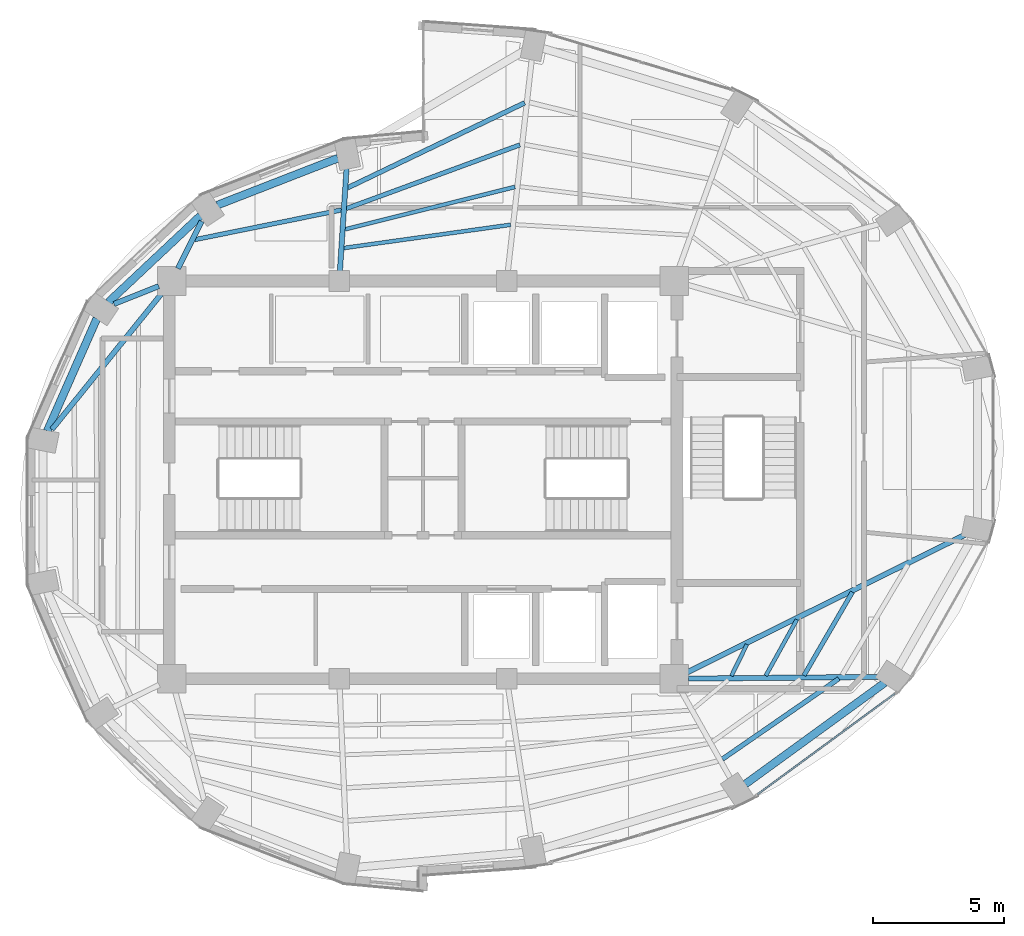
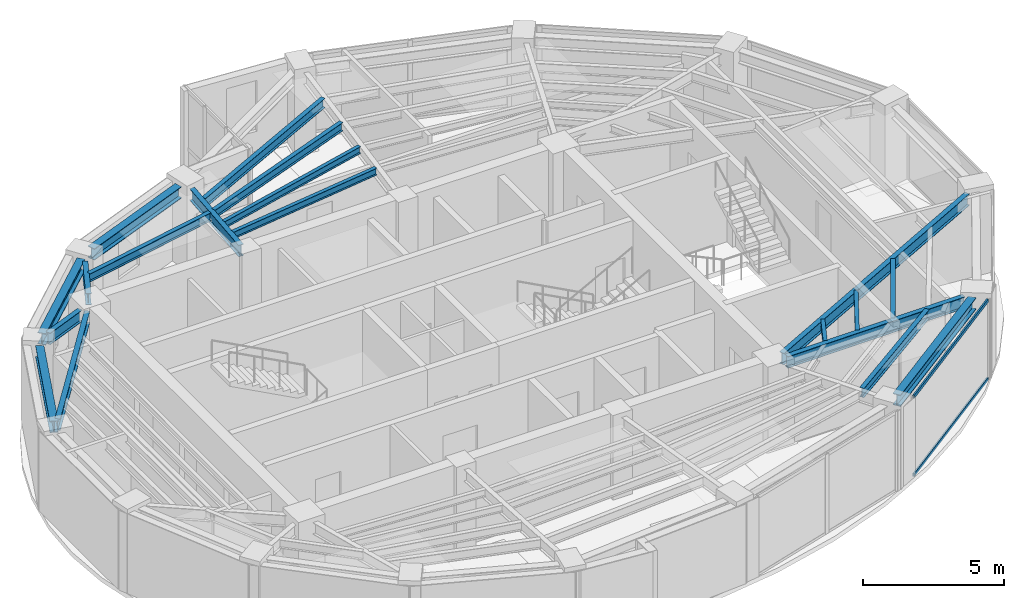
# One storey, part 3 of 15: 19 beams, 2 members, 1 element without a shape of its own.
"""IFC4 building model written with IfcOpenShell, lengths in metres."""

from ifc_helpers import new_model, si_unit, direction, frame, origin, origin_2d, place, context, subcontext, project, spatial, hollow_rectangle, i_section, extrude, material, layer, layer_set, material_profile, profile_set, type_object, element, aggregate, save


model = new_model("IFC4")

# Units and contexts
model_context = context("Model", 3, precision=1e-05, world=origin(), true_north=direction((0.0, 1.0)))
body_context = subcontext(model_context, "Body", "Model", "MODEL_VIEW")
ifc_project = project(units=[si_unit("LENGTHUNIT", "METRE"), si_unit("AREAUNIT", "SQUARE_METRE"), si_unit("VOLUMEUNIT", "CUBIC_METRE"), si_unit("PLANEANGLEUNIT", "RADIAN"), si_unit("MASSUNIT", "GRAM", prefix="KILO")], contexts=[model_context])

# Site, building, storey
site_placement = place(None, origin())
site = spatial("IfcSite", under=ifc_project, at=site_placement, CompositionType="ELEMENT")
building_placement = place(site_placement, origin())
building = spatial("IfcBuilding", under=site, at=building_placement, Name="Lazwardi Medical Tower", CompositionType="ELEMENT")
storey_placement = place(building_placement, frame((0.0, 0.0, 284.2080078125)))
storey = spatial("IfcBuildingStorey", under=building, at=storey_placement, Name="L74", CompositionType="ELEMENT", Elevation=284.2080078125)

# Beams
ifc_material_1 = material(Name="Steel S355", Category="steel")
ifc_material_profile_1 = material_profile(ifc_material_1, i_section(OverallWidth=0.300048828125, OverallDepth=0.5, WebThickness=0.014404296875, FlangeThickness=0.028076171875, at=origin_2d()), Name="HEB 500")
ifc_profile_set_1 = profile_set([ifc_material_profile_1], Name="Steel S355")
beam_type_1 = type_object("IfcBeamType", Name="BM-RB-Z4", PredefinedType="BEAM", material=ifc_profile_set_1)
beam_1_placement = place(storey_placement, frame((48.31591796875, 16.375244140625, 3.197998046875), z_axis=(0.808889916254, 0.587960120571, 0.0), x_axis=(-0.587960120571, 0.808889916254, 0.0)))
element("IfcBeam", 1, at=beam_1_placement, inside=storey, type_object=beam_type_1, Name="Ring beam RB-05 B02 L74", PredefinedType="BEAM", context=body_context, shape_type="SweptSolid", body=[
    extrude(i_section(OverallWidth=0.300048828125, OverallDepth=0.5, WebThickness=0.014404296875, FlangeThickness=0.028076171875, at=origin_2d()), origin(), (0.0, 0.0, 1.0), 6.587158203125),
])
beam_2_placement = place(storey_placement, frame((32.749267578125, 40.29150390625, 3.197998046875), z_axis=(-0.931959260109, -0.362563011761, 0.0), x_axis=(0.362563011761, -0.931959260109, 0.0)))
element("IfcBeam", 2, at=beam_2_placement, inside=storey, type_object=beam_type_1, Name="Ring beam RB-05 B09 L74", PredefinedType="BEAM", context=body_context, shape_type="SweptSolid", body=[
    extrude(i_section(OverallWidth=0.300048828125, OverallDepth=0.5, WebThickness=0.014404296875, FlangeThickness=0.028076171875, at=origin_2d()), origin(), (0.0, 0.0, 1.0), 4.944580078125),
])
beam_3_placement = place(storey_placement, frame((27.493408203125, 38.09033203125, 3.197998046875), z_axis=(-0.728935349177, -0.684582541934, 0.0), x_axis=(0.684582541934, -0.728935349177, 0.0)))
element("IfcBeam", 3, at=beam_3_placement, inside=storey, type_object=beam_type_1, Name="Ring beam RB-05 B10 L74", PredefinedType="BEAM", context=body_context, shape_type="SweptSolid", body=[
    extrude(i_section(OverallWidth=0.300048828125, OverallDepth=0.5, WebThickness=0.014404296875, FlangeThickness=0.028076171875, at=origin_2d()), origin(), (0.0, 0.0, 1.0), 4.822021484375),
])
beam_4_placement = place(storey_placement, frame((23.536865234375, 34.16552734375, 3.197998046875), z_axis=(-0.403522451548, -0.914969743268, 0.0), x_axis=(0.914969743268, -0.403522451548, 0.0)))
element("IfcBeam", 4, at=beam_4_placement, inside=storey, type_object=beam_type_1, Name="Ring beam RB-05 B11 L74", PredefinedType="BEAM", context=body_context, shape_type="SweptSolid", body=[
    extrude(i_section(OverallWidth=0.300048828125, OverallDepth=0.5, WebThickness=0.014404296875, FlangeThickness=0.028076171875, at=origin_2d()), origin(), (0.0, 0.0, 1.0), 4.6962890625),
])
ifc_material_profile_2 = material_profile(ifc_material_1, i_section(OverallWidth=0.199951171875, OverallDepth=0.5, WebThickness=0.01025390625, FlangeThickness=0.01611328125, at=origin_2d()), Name="IPE 500")
ifc_profile_set_2 = profile_set([ifc_material_profile_2], Name="Steel S355")
beam_type_2 = type_object("IfcBeamType", Name="BM-RG-W3", PredefinedType="BEAM", material=ifc_profile_set_2)
beam_5_placement = place(storey_placement, frame((53.4248046875, 20.472412109375, 3.197998046875), z_axis=(-0.999957282107, -0.009243049327, 0.0), x_axis=(0.009243049327, -0.999957282107, 0.0)))
element("IfcBeam", 5, at=beam_5_placement, inside=storey, type_object=beam_type_2, Name="Radial girder RG-04 R03 L74", PredefinedType="BEAM", context=body_context, shape_type="SweptSolid", body=[
    extrude(i_section(OverallWidth=0.199951171875, OverallDepth=0.5, WebThickness=0.01025390625, FlangeThickness=0.01611328125, at=origin_2d()), origin(), (0.0, 0.0, 1.0), 7.2900390625),
])
beam_6_placement = place(storey_placement, frame((56.70556640625, 25.899658203125, 3.197998046875), z_axis=(-0.896137723356, -0.443776048, 0.0), x_axis=(0.443776048, -0.896137723356, 0.0)))
element("IfcBeam", 6, at=beam_6_placement, inside=storey, type_object=beam_type_2, Name="Radial girder RG-04 R04 L74", PredefinedType="BEAM", context=body_context, shape_type="SweptSolid", body=[
    extrude(i_section(OverallWidth=0.199951171875, OverallDepth=0.5, WebThickness=0.01025390625, FlangeThickness=0.01611328125, at=origin_2d()), origin(), (0.0, 0.0, 1.0), 11.85791015625),
])
beam_7_placement = place(storey_placement, frame((33.078125, 39.89892578125, 3.197998046875), z_axis=(-0.064536216654, -0.99791536552, 0.0), x_axis=(0.99791536552, -0.064536216654, 0.0)))
element("IfcBeam", 7, at=beam_7_placement, inside=storey, type_object=beam_type_2, Name="Radial girder RG-04 R09 L74", PredefinedType="BEAM", context=body_context, shape_type="SweptSolid", body=[
    extrude(i_section(OverallWidth=0.199951171875, OverallDepth=0.5, WebThickness=0.01025390625, FlangeThickness=0.01611328125, at=origin_2d()), origin(), (0.0, 0.0, 1.0), 3.9228515625),
])
beam_8_placement = place(storey_placement, frame((27.53857421875, 37.87890625, 3.197998046875), z_axis=(-0.446922417137, -0.894572720946, 0.0), x_axis=(0.894572720946, -0.446922417137, 0.0)))
element("IfcBeam", 8, at=beam_8_placement, inside=storey, type_object=beam_type_2, Name="Radial girder RG-04 R10 L74", PredefinedType="BEAM", context=body_context, shape_type="SweptSolid", body=[
    extrude(i_section(OverallWidth=0.199951171875, OverallDepth=0.5, WebThickness=0.01025390625, FlangeThickness=0.01611328125, at=origin_2d()), origin(), (0.0, 0.0, 1.0), 2.012451171875),
])
beam_9_placement = place(storey_placement, frame((24.191162109375, 34.72021484375, 3.197998046875), z_axis=(0.929014807026, 0.370042549347, 0.0), x_axis=(-0.370042549347, 0.929014807026, 0.0)))
element("IfcBeam", 9, at=beam_9_placement, inside=storey, type_object=beam_type_2, Name="Radial girder RG-04 R11 L74", PredefinedType="BEAM", context=body_context, shape_type="SweptSolid", body=[
    extrude(i_section(OverallWidth=0.199951171875, OverallDepth=0.5, WebThickness=0.01025390625, FlangeThickness=0.01611328125, at=origin_2d()), origin(), (0.0, 0.0, 1.0), 1.8427734375),
])
beam_10_placement = place(storey_placement, frame((21.820556640625, 29.927978515625, 3.197998046875), z_axis=(0.62820165026, 0.778050568158, 0.0), x_axis=(-0.778050568158, 0.62820165026, 0.0)))
element("IfcBeam", 10, at=beam_10_placement, inside=storey, type_object=beam_type_2, Name="Radial girder RG-04 R12 L74", PredefinedType="BEAM", context=body_context, shape_type="SweptSolid", body=[
    extrude(i_section(OverallWidth=0.199951171875, OverallDepth=0.5, WebThickness=0.01025390625, FlangeThickness=0.01611328125, at=origin_2d()), origin(), (0.0, 0.0, 1.0), 6.7548828125),
])
ifc_material_profile_3 = material_profile(ifc_material_1, i_section(OverallWidth=0.179931640625, OverallDepth=0.39990234375, WebThickness=0.008544921875, FlangeThickness=0.013427734375, at=origin_2d()), Name="IPE 400")
ifc_profile_set_3 = profile_set([ifc_material_profile_3], Name="Steel S355")
beam_type_3 = type_object("IfcBeamType", Name="BM-SJ-01", PredefinedType="JOIST", material=ifc_profile_set_3)
beam_11_placement = place(storey_placement, frame((47.440673828125, 17.330322265625, 3.248046875), z_axis=(0.822596712765, 0.568625226443, 0.0), x_axis=(-0.568625226443, 0.822596712765, 0.0)))
element("IfcBeam", 11, at=beam_11_placement, inside=storey, type_object=beam_type_3, Name="Secondary joist SJ-01 R1 B02 L74", PredefinedType="JOIST", context=body_context, shape_type="SweptSolid", body=[
    extrude(i_section(OverallWidth=0.179931640625, OverallDepth=0.39990234375, WebThickness=0.008544921875, FlangeThickness=0.013427734375, at=origin_2d()), origin(), (0.0, 0.0, 1.0), 5.4072265625),
])
beam_12_placement = place(storey_placement, frame((39.88623046875, 42.40869140625, 3.248046875), z_axis=(-0.901499730142, -0.432779662823, 0.0), x_axis=(0.432779662823, -0.901499730142, 0.0)))
element("IfcBeam", 12, at=beam_12_placement, inside=storey, type_object=beam_type_3, Name="Secondary joist SJ-01 R1 B08 L74", PredefinedType="JOIST", context=body_context, shape_type="SweptSolid", body=[
    extrude(i_section(OverallWidth=0.179931640625, OverallDepth=0.39990234375, WebThickness=0.008544921875, FlangeThickness=0.013427734375, at=origin_2d()), origin(), (0.0, 0.0, 1.0), 7.512939453125),
])
ifc_material_profile_4 = material_profile(ifc_material_1, i_section(OverallWidth=0.169921875, OverallDepth=0.360107421875, WebThickness=0.008056640625, FlangeThickness=0.0126953125, at=origin_2d()), Name="IPE 360")
ifc_profile_set_4 = profile_set([ifc_material_profile_4], Name="Steel S355")
beam_type_4 = type_object("IfcBeamType", Name="BM-SJ-02", PredefinedType="JOIST", material=ifc_profile_set_4)
beam_13_placement = place(storey_placement, frame((50.556640625, 20.527587890625, 3.26806640625), z_axis=(0.502428077017, 0.864619007092, 0.0), x_axis=(-0.864619007092, 0.502428077017, 0.0)))
element("IfcBeam", 13, at=beam_13_placement, inside=storey, type_object=beam_type_4, Name="Secondary joist SJ-02 R2 B03 L74", PredefinedType="JOIST", context=body_context, shape_type="SweptSolid", body=[
    extrude(i_section(OverallWidth=0.169921875, OverallDepth=0.360107421875, WebThickness=0.008056640625, FlangeThickness=0.0126953125, at=origin_2d()), origin(), (0.0, 0.0, 1.0), 3.683837890625),
])
beam_14_placement = place(storey_placement, frame((39.700439453125, 40.80029296875, 3.26806640625), z_axis=(-0.938784720842, -0.34450435108, 0.0), x_axis=(0.34450435108, -0.938784720842, 0.0)))
element("IfcBeam", 14, at=beam_14_placement, inside=storey, type_object=beam_type_4, Name="Secondary joist SJ-02 R2 B08 L74", PredefinedType="JOIST", context=body_context, shape_type="SweptSolid", body=[
    extrude(i_section(OverallWidth=0.169921875, OverallDepth=0.360107421875, WebThickness=0.008056640625, FlangeThickness=0.0126953125, at=origin_2d()), origin(), (0.0, 0.0, 1.0), 7.06689453125),
])
beam_15_placement = place(storey_placement, frame((32.8837890625, 38.314208984375, 3.26806640625), z_axis=(-0.980097246244, -0.198517978793, 0.0), x_axis=(0.198517978793, -0.980097246244, 0.0)))
element("IfcBeam", 15, at=beam_15_placement, inside=storey, type_object=beam_type_4, Name="Secondary joist SJ-02 R2 B09 L74", PredefinedType="JOIST", context=body_context, shape_type="SweptSolid", body=[
    extrude(i_section(OverallWidth=0.169921875, OverallDepth=0.360107421875, WebThickness=0.008056640625, FlangeThickness=0.0126953125, at=origin_2d()), origin(), (0.0, 0.0, 1.0), 5.72607421875),
])
ifc_material_profile_5 = material_profile(ifc_material_1, i_section(OverallWidth=0.14990234375, OverallDepth=0.300048828125, WebThickness=0.007080078125, FlangeThickness=0.0107421875, at=origin_2d()), Name="IPE 300")
ifc_profile_set_5 = profile_set([ifc_material_profile_5], Name="Steel S355")
beam_type_5 = type_object("IfcBeamType", Name="BM-SJ-03", PredefinedType="JOIST", material=ifc_profile_set_5)
beam_16_placement = place(storey_placement, frame((49.096923828125, 20.51513671875, 3.298095703125), z_axis=(0.484356732643, 0.874870593598, 0.0), x_axis=(-0.874870593598, 0.484356732643, 0.0)))
element("IfcBeam", 16, at=beam_16_placement, inside=storey, type_object=beam_type_5, Name="Secondary joist SJ-03 R3 B03 L74", PredefinedType="JOIST", context=body_context, shape_type="SweptSolid", body=[
    extrude(i_section(OverallWidth=0.14990234375, OverallDepth=0.300048828125, WebThickness=0.007080078125, FlangeThickness=0.0107421875, at=origin_2d()), origin(), (0.0, 0.0, 1.0), 2.45068359375),
])
beam_17_placement = place(storey_placement, frame((39.515380859375, 39.193359375, 3.298095703125), z_axis=(-0.970279606817, -0.241986538045, 0.0), x_axis=(0.241986538045, -0.970279606817, 0.0)))
element("IfcBeam", 17, at=beam_17_placement, inside=storey, type_object=beam_type_5, Name="Secondary joist SJ-03 R3 B08 L74", PredefinedType="JOIST", context=body_context, shape_type="SweptSolid", body=[
    extrude(i_section(OverallWidth=0.14990234375, OverallDepth=0.300048828125, WebThickness=0.007080078125, FlangeThickness=0.0107421875, at=origin_2d()), origin(), (0.0, 0.0, 1.0), 6.696044921875),
])
beam_18_placement = place(storey_placement, frame((47.78076171875, 20.5048828125, 3.298095703125), z_axis=(0.442264453687, 0.896884693261, 0.0), x_axis=(-0.896884693261, 0.442264453687, 0.0)))
element("IfcBeam", 18, at=beam_18_placement, inside=storey, type_object=beam_type_5, Name="Secondary joist SJ-03 R4 B03 L74", PredefinedType="JOIST", context=body_context, shape_type="SweptSolid", body=[
    extrude(i_section(OverallWidth=0.14990234375, OverallDepth=0.300048828125, WebThickness=0.007080078125, FlangeThickness=0.0107421875, at=origin_2d()), origin(), (0.0, 0.0, 1.0), 1.343505859375),
])
beam_19_placement = place(storey_placement, frame((39.349365234375, 37.748046875, 3.298095703125), z_axis=(-0.990406947737, -0.138181322454, 0.0), x_axis=(0.138181322454, -0.990406947737, 0.0)))
element("IfcBeam", 19, at=beam_19_placement, inside=storey, type_object=beam_type_5, Name="Secondary joist SJ-03 R4 B08 L74", PredefinedType="JOIST", context=body_context, shape_type="SweptSolid", body=[
    extrude(i_section(OverallWidth=0.14990234375, OverallDepth=0.300048828125, WebThickness=0.007080078125, FlangeThickness=0.0107421875, at=origin_2d()), origin(), (0.0, 0.0, 1.0), 6.4365234375),
])

# Curtain wall, members
ifc_material_2 = material(Name="Anodised bronze aluminium and solar control glazing", Category="aluminium")
ifc_layer = layer(ifc_material_2, 0.18994140625)
ifc_layer_set = layer_set([ifc_layer], Name="Anodised bronze aluminium and solar control glazing")
curtain_wall_type = type_object("IfcCurtainWallType", Name="CW-SYS-04", PredefinedType="NOTDEFINED", material=ifc_layer_set)
curtain_wall_placement = place(storey_placement, origin())
curtain_wall = element("IfcCurtainWall", 20, at=curtain_wall_placement, inside=storey, type_object=curtain_wall_type, Name="L74 Unitised bronze curtain wall CW-04", PredefinedType="NOTDEFINED")
ifc_material_3 = material(Name="Anodised bronze aluminium", Category="aluminium")
ifc_material_profile_6 = material_profile(ifc_material_3, hollow_rectangle(XDim=0.06494140625, YDim=0.139892578125, WallThickness=0.00341796875, at=origin_2d()), Name="ALU-TRANSOM 140x65x3.5")
ifc_profile_set_6 = profile_set([ifc_material_profile_6], Name="Anodised bronze aluminium")
member_type = type_object("IfcMemberType", Name="CW-TRN-03", PredefinedType="USERDEFINED", material=ifc_profile_set_6)
member_1_placement = place(storey_placement, frame((48.781494140625, 15.984375, 0.032470703125), z_axis=(0.80648973359, 0.591248094808, 0.0), x_axis=(-0.591248094808, 0.80648973359, 0.0)))
member_1 = element("IfcMember", 21, at=member_1_placement, type_object=member_type, Name="CW-04 transom 1.1", ObjectType="TRANSOM", PredefinedType="USERDEFINED", context=body_context, shape_type="SweptSolid", body=[
    extrude(hollow_rectangle(XDim=0.06494140625, YDim=0.139892578125, WallThickness=0.00341796875, at=origin_2d()), origin(), (0.0, 0.0, 1.0), 6.502685546875),
])
member_2_placement = place(storey_placement, frame((48.781494140625, 15.984375, 3.41552734375), z_axis=(0.80648973359, 0.591248094808, 0.0), x_axis=(-0.591248094808, 0.80648973359, 0.0)))
member_2 = element("IfcMember", 22, at=member_2_placement, type_object=member_type, Name="CW-04 transom 1.2", ObjectType="TRANSOM", PredefinedType="USERDEFINED", context=body_context, shape_type="SweptSolid", body=[
    extrude(hollow_rectangle(XDim=0.06494140625, YDim=0.139892578125, WallThickness=0.00341796875, at=origin_2d()), origin(), (0.0, 0.0, 1.0), 6.502685546875),
])
aggregate(curtain_wall, [member_1, member_2])

save(model, "model.ifc")
